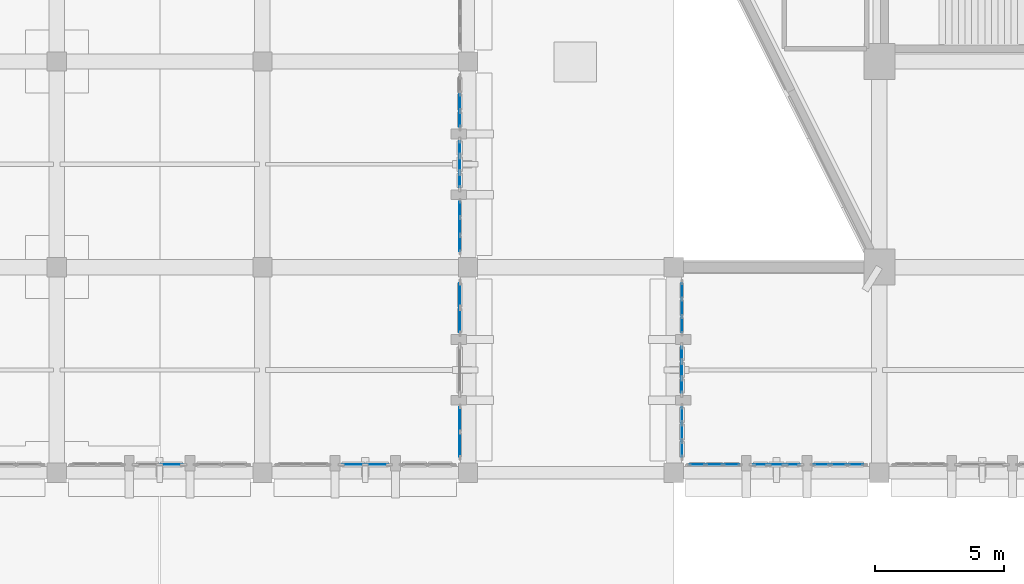
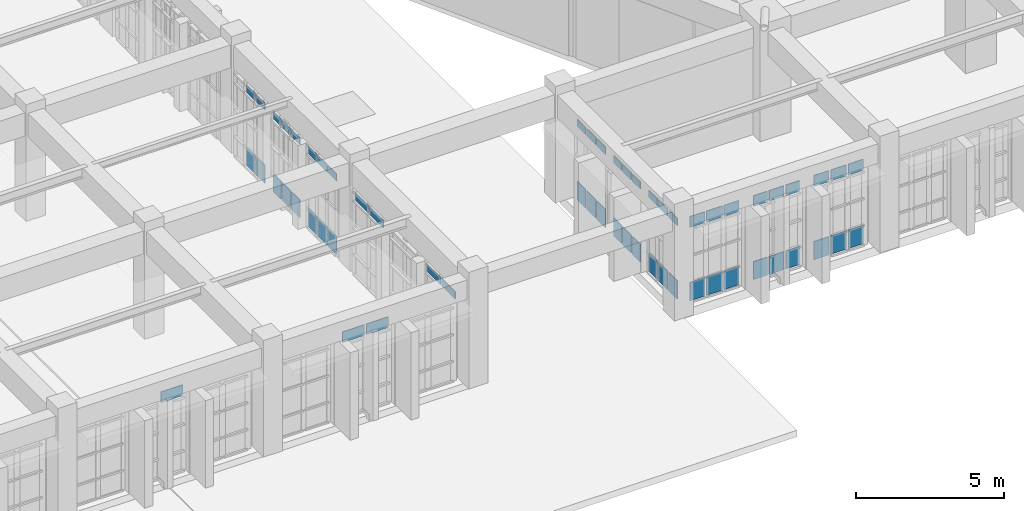
# One storey, part 119 of 155: 59 plates, 13 elements without a shape of their own.
"""IFC4 building model written with IfcOpenShell, lengths in metres."""

from ifc_helpers import new_model, si_unit, direction, frame, origin, origin_2d, place, context, subcontext, project, spatial, rectangle, extrude, material, layer, layer_set, type_object, element, aggregate, save


model = new_model("IFC4")

# Units and contexts
model_context = context("Model", 3, precision=1e-05, world=origin(), true_north=direction((0.0, 1.0)))
body_context = subcontext(model_context, "Body", "Model", "MODEL_VIEW")
ifc_project = project(units=[si_unit("LENGTHUNIT", "METRE"), si_unit("AREAUNIT", "SQUARE_METRE"), si_unit("VOLUMEUNIT", "CUBIC_METRE"), si_unit("PLANEANGLEUNIT", "RADIAN"), si_unit("MASSUNIT", "GRAM", prefix="KILO")], contexts=[model_context])

# Site, building, storey
site_placement = place(None, origin())
site = spatial("IfcSite", under=ifc_project, at=site_placement, CompositionType="ELEMENT")
building_placement = place(site_placement, origin())
building = spatial("IfcBuilding", under=site, at=building_placement, Name="Tazarka Park Arena", CompositionType="ELEMENT")
storey_placement = place(building_placement, frame((0.0, 0.0, 5.39990234375)))
storey = spatial("IfcBuildingStorey", under=building, at=storey_placement, Name="L01", CompositionType="ELEMENT", Elevation=5.39990234375)

# Curtain wall, plates
ifc_material_1 = material(Name="Aluminium and low-e glass", Category="aluminium")
ifc_layer_1 = layer(ifc_material_1, 0.179931640625, Name="Aluminium and low-e glass")
ifc_layer_set_1 = layer_set([ifc_layer_1], Name="Aluminium and low-e glass")
curtain_wall_type_1 = type_object("IfcCurtainWallType", Name="CW-03", PredefinedType="NOTDEFINED", material=ifc_layer_set_1)
curtain_wall_1_placement = place(storey_placement, origin())
curtain_wall_1 = element("IfcCurtainWall", 1, at=curtain_wall_1_placement, inside=storey, type_object=curtain_wall_type_1, Name="Curtain Wall CWA-L01-003", PredefinedType="NOTDEFINED")
ifc_material_2 = material(Name="Double low-e insulated glazing", Category="glass")
ifc_layer_2 = layer(ifc_material_2, 0.028076171875, Name="Double low-e insulated glazing")
ifc_layer_set_2 = layer_set([ifc_layer_2], Name="Double low-e insulated glazing")
plate_type_1 = type_object("IfcPlateType", Name="CWP-01", PredefinedType="CURTAIN_PANEL", material=ifc_layer_set_2)
plate_1_placement = place(storey_placement, frame((56.320068359375, 13.750244140625, 0.065185546875), z_axis=(0.0, 0.0, 1.0), x_axis=(0.0, 1.0, 0.0)))
plate_1 = element("IfcPlate", 2, at=plate_1_placement, type_object=plate_type_1, Name="CW-03 panel 1.1", PredefinedType="CURTAIN_PANEL", context=body_context, shape_type="SweptSolid", body=[
    extrude(rectangle(XDim=0.5869140625, YDim=0.028076171875, at=origin_2d()), origin(), (0.0, 0.0, 1.0), 0.75244140625),
])
plate_2_placement = place(storey_placement, frame((56.320068359375, 13.750244140625, 3.08251953125), z_axis=(0.0, 0.0, 1.0), x_axis=(0.0, 1.0, 0.0)))
plate_2 = element("IfcPlate", 3, at=plate_2_placement, type_object=plate_type_1, Name="CW-03 panel 1.4", PredefinedType="CURTAIN_PANEL", context=body_context, shape_type="SweptSolid", body=[
    extrude(rectangle(XDim=0.5869140625, YDim=0.028076171875, at=origin_2d()), origin(), (0.0, 0.0, 1.0), 0.302490234375),
])
plate_3_placement = place(storey_placement, frame((56.320068359375, 14.41845703125, 0.065185546875), z_axis=(0.0, 0.0, 1.0), x_axis=(0.0, 1.0, 0.0)))
plate_3 = element("IfcPlate", 4, at=plate_3_placement, type_object=plate_type_1, Name="CW-03 panel 2.1", PredefinedType="CURTAIN_PANEL", context=body_context, shape_type="SweptSolid", body=[
    extrude(rectangle(XDim=0.619384765625, YDim=0.028076171875, at=origin_2d()), origin(), (0.0, 0.0, 1.0), 0.75244140625),
])
plate_4_placement = place(storey_placement, frame((56.320068359375, 14.41845703125, 3.08251953125), z_axis=(0.0, 0.0, 1.0), x_axis=(0.0, 1.0, 0.0)))
plate_4 = element("IfcPlate", 5, at=plate_4_placement, type_object=plate_type_1, Name="CW-03 panel 2.4", PredefinedType="CURTAIN_PANEL", context=body_context, shape_type="SweptSolid", body=[
    extrude(rectangle(XDim=0.619384765625, YDim=0.028076171875, at=origin_2d()), origin(), (0.0, 0.0, 1.0), 0.302490234375),
])
plate_5_placement = place(storey_placement, frame((56.320068359375, 15.08642578125, 0.065185546875), z_axis=(0.0, 0.0, 1.0), x_axis=(0.0, 1.0, 0.0)))
plate_5 = element("IfcPlate", 6, at=plate_5_placement, type_object=plate_type_1, Name="CW-03 panel 3.1", PredefinedType="CURTAIN_PANEL", context=body_context, shape_type="SweptSolid", body=[
    extrude(rectangle(XDim=0.5869140625, YDim=0.028076171875, at=origin_2d()), origin(), (0.0, 0.0, 1.0), 0.75244140625),
])
plate_6_placement = place(storey_placement, frame((56.320068359375, 15.08642578125, 3.08251953125), z_axis=(0.0, 0.0, 1.0), x_axis=(0.0, 1.0, 0.0)))
plate_6 = element("IfcPlate", 7, at=plate_6_placement, type_object=plate_type_1, Name="CW-03 panel 3.4", PredefinedType="CURTAIN_PANEL", context=body_context, shape_type="SweptSolid", body=[
    extrude(rectangle(XDim=0.5869140625, YDim=0.028076171875, at=origin_2d()), origin(), (0.0, 0.0, 1.0), 0.302490234375),
])
aggregate(curtain_wall_1, [plate_1, plate_2, plate_3, plate_4, plate_5, plate_6])

ifc_material_3 = material(Name="Aluminium and low-e glass", Category="aluminium")
ifc_layer_3 = layer(ifc_material_3, 0.179931640625, Name="Aluminium and low-e glass")
ifc_layer_set_3 = layer_set([ifc_layer_3], Name="Aluminium and low-e glass")
curtain_wall_type_2 = type_object("IfcCurtainWallType", Name="CW-06", PredefinedType="NOTDEFINED", material=ifc_layer_set_3)
curtain_wall_2_placement = place(storey_placement, origin())
curtain_wall_2 = element("IfcCurtainWall", 8, at=curtain_wall_2_placement, inside=storey, type_object=curtain_wall_type_2, Name="Curtain Wall CWA-L01-006", PredefinedType="NOTDEFINED")
plate_7_placement = place(storey_placement, frame((58.249755859375, 8.320068359375, 0.065185546875), z_axis=(0.0, 0.0, 1.0), x_axis=(-1.0, 0.0, 0.0)))
plate_7 = element("IfcPlate", 9, at=plate_7_placement, type_object=plate_type_1, Name="CW-06 panel 1.1", PredefinedType="CURTAIN_PANEL", context=body_context, shape_type="SweptSolid", body=[
    extrude(rectangle(XDim=0.5869140625, YDim=0.028076171875, at=origin_2d()), origin(), (0.0, 0.0, 1.0), 0.75244140625),
])
plate_8_placement = place(storey_placement, frame((58.249755859375, 8.320068359375, 3.08251953125), z_axis=(0.0, 0.0, 1.0), x_axis=(-1.0, 0.0, 0.0)))
plate_8 = element("IfcPlate", 10, at=plate_8_placement, type_object=plate_type_1, Name="CW-06 panel 1.4", PredefinedType="CURTAIN_PANEL", context=body_context, shape_type="SweptSolid", body=[
    extrude(rectangle(XDim=0.5869140625, YDim=0.028076171875, at=origin_2d()), origin(), (0.0, 0.0, 1.0), 0.452392578125),
])
plate_9_placement = place(storey_placement, frame((57.58154296875, 8.320068359375, 0.065185546875), z_axis=(0.0, 0.0, 1.0), x_axis=(-1.0, 0.0, 0.0)))
plate_9 = element("IfcPlate", 11, at=plate_9_placement, type_object=plate_type_1, Name="CW-06 panel 2.1", PredefinedType="CURTAIN_PANEL", context=body_context, shape_type="SweptSolid", body=[
    extrude(rectangle(XDim=0.619384765625, YDim=0.028076171875, at=origin_2d()), origin(), (0.0, 0.0, 1.0), 0.75244140625),
])
plate_10_placement = place(storey_placement, frame((57.58154296875, 8.320068359375, 3.08251953125), z_axis=(0.0, 0.0, 1.0), x_axis=(-1.0, 0.0, 0.0)))
plate_10 = element("IfcPlate", 12, at=plate_10_placement, type_object=plate_type_1, Name="CW-06 panel 2.4", PredefinedType="CURTAIN_PANEL", context=body_context, shape_type="SweptSolid", body=[
    extrude(rectangle(XDim=0.619384765625, YDim=0.028076171875, at=origin_2d()), origin(), (0.0, 0.0, 1.0), 0.452392578125),
])
plate_11_placement = place(storey_placement, frame((56.91357421875, 8.320068359375, 0.065185546875), z_axis=(0.0, 0.0, 1.0), x_axis=(-1.0, 0.0, 0.0)))
plate_11 = element("IfcPlate", 13, at=plate_11_placement, type_object=plate_type_1, Name="CW-06 panel 3.1", PredefinedType="CURTAIN_PANEL", context=body_context, shape_type="SweptSolid", body=[
    extrude(rectangle(XDim=0.5869140625, YDim=0.028076171875, at=origin_2d()), origin(), (0.0, 0.0, 1.0), 0.75244140625),
])
plate_12_placement = place(storey_placement, frame((56.91357421875, 8.320068359375, 3.08251953125), z_axis=(0.0, 0.0, 1.0), x_axis=(-1.0, 0.0, 0.0)))
plate_12 = element("IfcPlate", 14, at=plate_12_placement, type_object=plate_type_1, Name="CW-06 panel 3.4", PredefinedType="CURTAIN_PANEL", context=body_context, shape_type="SweptSolid", body=[
    extrude(rectangle(XDim=0.5869140625, YDim=0.028076171875, at=origin_2d()), origin(), (0.0, 0.0, 1.0), 0.452392578125),
])
aggregate(curtain_wall_2, [plate_7, plate_8, plate_9, plate_10, plate_11, plate_12])

ifc_material_4 = material(Name="Aluminium and low-e glass", Category="aluminium")
ifc_layer_4 = layer(ifc_material_4, 0.179931640625, Name="Aluminium and low-e glass")
ifc_layer_set_4 = layer_set([ifc_layer_4], Name="Aluminium and low-e glass")
curtain_wall_type_3 = type_object("IfcCurtainWallType", Name="CW-30", PredefinedType="NOTDEFINED", material=ifc_layer_set_4)
curtain_wall_3_placement = place(storey_placement, origin())
curtain_wall_3 = element("IfcCurtainWall", 15, at=curtain_wall_3_placement, inside=storey, type_object=curtain_wall_type_3, Name="Curtain Wall CWA-L01-090", PredefinedType="NOTDEFINED")
plate_13_placement = place(storey_placement, frame((47.679931640625, 10.07861328125, 3.08251953125), z_axis=(0.0, 0.0, 1.0), x_axis=(0.0, -1.0, 0.0)))
plate_13 = element("IfcPlate", 16, at=plate_13_placement, type_object=plate_type_1, Name="CW-30 panel 1.4", PredefinedType="CURTAIN_PANEL", context=body_context, shape_type="SweptSolid", body=[
    extrude(rectangle(XDim=0.92919921875, YDim=0.028076171875, at=origin_2d()), origin(), (0.0, 0.0, 1.0), 0.302490234375),
])
plate_14_placement = place(storey_placement, frame((47.679931640625, 9.08447265625, 3.08251953125), z_axis=(0.0, 0.0, 1.0), x_axis=(0.0, -1.0, 0.0)))
plate_14 = element("IfcPlate", 17, at=plate_14_placement, type_object=plate_type_1, Name="CW-30 panel 2.4", PredefinedType="CURTAIN_PANEL", context=body_context, shape_type="SweptSolid", body=[
    extrude(rectangle(XDim=0.92919921875, YDim=0.028076171875, at=origin_2d()), origin(), (0.0, 0.0, 1.0), 0.302490234375),
])
aggregate(curtain_wall_3, [plate_13, plate_14])

curtain_wall_4_placement = place(storey_placement, origin())
curtain_wall_4 = element("IfcCurtainWall", 18, at=curtain_wall_4_placement, inside=storey, type_object=curtain_wall_type_1, Name="Curtain Wall CWA-L01-093", PredefinedType="NOTDEFINED")
plate_15_placement = place(storey_placement, frame((47.679931640625, 18.249755859375, 0.065185546875), z_axis=(0.0, 0.0, 1.0), x_axis=(0.0, -1.0, 0.0)))
plate_15 = element("IfcPlate", 19, at=plate_15_placement, type_object=plate_type_1, Name="CW-03 panel 1.1", PredefinedType="CURTAIN_PANEL", context=body_context, shape_type="SweptSolid", body=[
    extrude(rectangle(XDim=0.5869140625, YDim=0.028076171875, at=origin_2d()), origin(), (0.0, 0.0, 1.0), 0.75244140625),
])
plate_16_placement = place(storey_placement, frame((47.679931640625, 18.249755859375, 3.08251953125), z_axis=(0.0, 0.0, 1.0), x_axis=(0.0, -1.0, 0.0)))
plate_16 = element("IfcPlate", 20, at=plate_16_placement, type_object=plate_type_1, Name="CW-03 panel 1.4", PredefinedType="CURTAIN_PANEL", context=body_context, shape_type="SweptSolid", body=[
    extrude(rectangle(XDim=0.5869140625, YDim=0.028076171875, at=origin_2d()), origin(), (0.0, 0.0, 1.0), 0.302490234375),
])
plate_17_placement = place(storey_placement, frame((47.679931640625, 17.58154296875, 0.065185546875), z_axis=(0.0, 0.0, 1.0), x_axis=(0.0, -1.0, 0.0)))
plate_17 = element("IfcPlate", 21, at=plate_17_placement, type_object=plate_type_1, Name="CW-03 panel 2.1", PredefinedType="CURTAIN_PANEL", context=body_context, shape_type="SweptSolid", body=[
    extrude(rectangle(XDim=0.619384765625, YDim=0.028076171875, at=origin_2d()), origin(), (0.0, 0.0, 1.0), 0.75244140625),
])
plate_18_placement = place(storey_placement, frame((47.679931640625, 17.58154296875, 3.08251953125), z_axis=(0.0, 0.0, 1.0), x_axis=(0.0, -1.0, 0.0)))
plate_18 = element("IfcPlate", 22, at=plate_18_placement, type_object=plate_type_1, Name="CW-03 panel 2.4", PredefinedType="CURTAIN_PANEL", context=body_context, shape_type="SweptSolid", body=[
    extrude(rectangle(XDim=0.619384765625, YDim=0.028076171875, at=origin_2d()), origin(), (0.0, 0.0, 1.0), 0.302490234375),
])
plate_19_placement = place(storey_placement, frame((47.679931640625, 16.91357421875, 0.065185546875), z_axis=(0.0, 0.0, 1.0), x_axis=(0.0, -1.0, 0.0)))
plate_19 = element("IfcPlate", 23, at=plate_19_placement, type_object=plate_type_1, Name="CW-03 panel 3.1", PredefinedType="CURTAIN_PANEL", context=body_context, shape_type="SweptSolid", body=[
    extrude(rectangle(XDim=0.5869140625, YDim=0.028076171875, at=origin_2d()), origin(), (0.0, 0.0, 1.0), 0.75244140625),
])
plate_20_placement = place(storey_placement, frame((47.679931640625, 16.91357421875, 3.08251953125), z_axis=(0.0, 0.0, 1.0), x_axis=(0.0, -1.0, 0.0)))
plate_20 = element("IfcPlate", 24, at=plate_20_placement, type_object=plate_type_1, Name="CW-03 panel 3.4", PredefinedType="CURTAIN_PANEL", context=body_context, shape_type="SweptSolid", body=[
    extrude(rectangle(XDim=0.5869140625, YDim=0.028076171875, at=origin_2d()), origin(), (0.0, 0.0, 1.0), 0.302490234375),
])
aggregate(curtain_wall_4, [plate_15, plate_16, plate_17, plate_18, plate_19, plate_20])

ifc_material_5 = material(Name="Aluminium and low-e glass", Category="aluminium")
ifc_layer_5 = layer(ifc_material_5, 0.179931640625, Name="Aluminium and low-e glass")
ifc_layer_set_5 = layer_set([ifc_layer_5], Name="Aluminium and low-e glass")
curtain_wall_type_4 = type_object("IfcCurtainWallType", Name="CW-01", PredefinedType="NOTDEFINED", material=ifc_layer_set_5)
curtain_wall_5_placement = place(storey_placement, origin())
curtain_wall_5 = element("IfcCurtainWall", 25, at=curtain_wall_5_placement, inside=storey, type_object=curtain_wall_type_4, Name="Curtain Wall CWA-L01-001", PredefinedType="NOTDEFINED")
ifc_material_6 = material(Name="Triple acoustic solar glazing", Category="glass")
ifc_layer_6 = layer(ifc_material_6, 0.031982421875, Name="Triple acoustic solar glazing")
ifc_layer_set_6 = layer_set([ifc_layer_6], Name="Triple acoustic solar glazing")
plate_type_2 = type_object("IfcPlateType", Name="CWP-02", PredefinedType="CURTAIN_PANEL", material=ifc_layer_set_6)
plate_21_placement = place(storey_placement, frame((56.320068359375, 8.91357421875, 0.065185546875), z_axis=(0.0, 0.0, 1.0), x_axis=(0.0, 1.0, 0.0)))
plate_21 = element("IfcPlate", 26, at=plate_21_placement, type_object=plate_type_2, Name="CW-01 panel 1.1", PredefinedType="CURTAIN_PANEL", context=body_context, shape_type="SweptSolid", body=[
    extrude(rectangle(XDim=0.5869140625, YDim=0.031982421875, at=origin_2d()), origin(), (0.0, 0.0, 1.0), 0.75244140625),
])
plate_22_placement = place(storey_placement, frame((56.320068359375, 8.91357421875, 3.08251953125), z_axis=(0.0, 0.0, 1.0), x_axis=(0.0, 1.0, 0.0)))
plate_22 = element("IfcPlate", 27, at=plate_22_placement, type_object=plate_type_2, Name="CW-01 panel 1.4", PredefinedType="CURTAIN_PANEL", context=body_context, shape_type="SweptSolid", body=[
    extrude(rectangle(XDim=0.5869140625, YDim=0.031982421875, at=origin_2d()), origin(), (0.0, 0.0, 1.0), 0.302490234375),
])
plate_23_placement = place(storey_placement, frame((56.320068359375, 9.58154296875, 0.065185546875), z_axis=(0.0, 0.0, 1.0), x_axis=(0.0, 1.0, 0.0)))
plate_23 = element("IfcPlate", 28, at=plate_23_placement, type_object=plate_type_2, Name="CW-01 panel 2.1", PredefinedType="CURTAIN_PANEL", context=body_context, shape_type="SweptSolid", body=[
    extrude(rectangle(XDim=0.619384765625, YDim=0.031982421875, at=origin_2d()), origin(), (0.0, 0.0, 1.0), 0.75244140625),
])
plate_24_placement = place(storey_placement, frame((56.320068359375, 9.58154296875, 3.08251953125), z_axis=(0.0, 0.0, 1.0), x_axis=(0.0, 1.0, 0.0)))
plate_24 = element("IfcPlate", 29, at=plate_24_placement, type_object=plate_type_2, Name="CW-01 panel 2.4", PredefinedType="CURTAIN_PANEL", context=body_context, shape_type="SweptSolid", body=[
    extrude(rectangle(XDim=0.619384765625, YDim=0.031982421875, at=origin_2d()), origin(), (0.0, 0.0, 1.0), 0.302490234375),
])
plate_25_placement = place(storey_placement, frame((56.320068359375, 10.249755859375, 0.065185546875), z_axis=(0.0, 0.0, 1.0), x_axis=(0.0, 1.0, 0.0)))
plate_25 = element("IfcPlate", 30, at=plate_25_placement, type_object=plate_type_2, Name="CW-01 panel 3.1", PredefinedType="CURTAIN_PANEL", context=body_context, shape_type="SweptSolid", body=[
    extrude(rectangle(XDim=0.5869140625, YDim=0.031982421875, at=origin_2d()), origin(), (0.0, 0.0, 1.0), 0.75244140625),
])
plate_26_placement = place(storey_placement, frame((56.320068359375, 10.249755859375, 3.08251953125), z_axis=(0.0, 0.0, 1.0), x_axis=(0.0, 1.0, 0.0)))
plate_26 = element("IfcPlate", 31, at=plate_26_placement, type_object=plate_type_2, Name="CW-01 panel 3.4", PredefinedType="CURTAIN_PANEL", context=body_context, shape_type="SweptSolid", body=[
    extrude(rectangle(XDim=0.5869140625, YDim=0.031982421875, at=origin_2d()), origin(), (0.0, 0.0, 1.0), 0.302490234375),
])
aggregate(curtain_wall_5, [plate_21, plate_22, plate_23, plate_24, plate_25, plate_26])

ifc_material_7 = material(Name="Aluminium and low-e glass", Category="aluminium")
ifc_layer_7 = layer(ifc_material_7, 0.179931640625, Name="Aluminium and low-e glass")
ifc_layer_set_7 = layer_set([ifc_layer_7], Name="Aluminium and low-e glass")
curtain_wall_type_5 = type_object("IfcCurtainWallType", Name="CW-04", PredefinedType="NOTDEFINED", material=ifc_layer_set_7)
curtain_wall_6_placement = place(storey_placement, origin())
curtain_wall_6 = element("IfcCurtainWall", 32, at=curtain_wall_6_placement, inside=storey, type_object=curtain_wall_type_5, Name="Curtain Wall CWA-L01-004", PredefinedType="NOTDEFINED")
plate_27_placement = place(storey_placement, frame((63.08642578125, 8.320068359375, 0.065185546875), z_axis=(0.0, 0.0, 1.0), x_axis=(-1.0, 0.0, 0.0)))
plate_27 = element("IfcPlate", 33, at=plate_27_placement, type_object=plate_type_2, Name="CW-04 panel 1.1", PredefinedType="CURTAIN_PANEL", context=body_context, shape_type="SweptSolid", body=[
    extrude(rectangle(XDim=0.5869140625, YDim=0.031982421875, at=origin_2d()), origin(), (0.0, 0.0, 1.0), 0.75244140625),
])
plate_28_placement = place(storey_placement, frame((63.08642578125, 8.320068359375, 3.08251953125), z_axis=(0.0, 0.0, 1.0), x_axis=(-1.0, 0.0, 0.0)))
plate_28 = element("IfcPlate", 34, at=plate_28_placement, type_object=plate_type_2, Name="CW-04 panel 1.4", PredefinedType="CURTAIN_PANEL", context=body_context, shape_type="SweptSolid", body=[
    extrude(rectangle(XDim=0.5869140625, YDim=0.031982421875, at=origin_2d()), origin(), (0.0, 0.0, 1.0), 0.452392578125),
])
plate_29_placement = place(storey_placement, frame((62.41845703125, 8.320068359375, 0.065185546875), z_axis=(0.0, 0.0, 1.0), x_axis=(-1.0, 0.0, 0.0)))
plate_29 = element("IfcPlate", 35, at=plate_29_placement, type_object=plate_type_2, Name="CW-04 panel 2.1", PredefinedType="CURTAIN_PANEL", context=body_context, shape_type="SweptSolid", body=[
    extrude(rectangle(XDim=0.619384765625, YDim=0.031982421875, at=origin_2d()), origin(), (0.0, 0.0, 1.0), 0.75244140625),
])
plate_30_placement = place(storey_placement, frame((62.41845703125, 8.320068359375, 3.08251953125), z_axis=(0.0, 0.0, 1.0), x_axis=(-1.0, 0.0, 0.0)))
plate_30 = element("IfcPlate", 36, at=plate_30_placement, type_object=plate_type_2, Name="CW-04 panel 2.4", PredefinedType="CURTAIN_PANEL", context=body_context, shape_type="SweptSolid", body=[
    extrude(rectangle(XDim=0.619384765625, YDim=0.031982421875, at=origin_2d()), origin(), (0.0, 0.0, 1.0), 0.452392578125),
])
plate_31_placement = place(storey_placement, frame((61.750244140625, 8.320068359375, 0.065185546875), z_axis=(0.0, 0.0, 1.0), x_axis=(-1.0, 0.0, 0.0)))
plate_31 = element("IfcPlate", 37, at=plate_31_placement, type_object=plate_type_2, Name="CW-04 panel 3.1", PredefinedType="CURTAIN_PANEL", context=body_context, shape_type="SweptSolid", body=[
    extrude(rectangle(XDim=0.5869140625, YDim=0.031982421875, at=origin_2d()), origin(), (0.0, 0.0, 1.0), 0.75244140625),
])
plate_32_placement = place(storey_placement, frame((61.750244140625, 8.320068359375, 3.08251953125), z_axis=(0.0, 0.0, 1.0), x_axis=(-1.0, 0.0, 0.0)))
plate_32 = element("IfcPlate", 38, at=plate_32_placement, type_object=plate_type_2, Name="CW-04 panel 3.4", PredefinedType="CURTAIN_PANEL", context=body_context, shape_type="SweptSolid", body=[
    extrude(rectangle(XDim=0.5869140625, YDim=0.031982421875, at=origin_2d()), origin(), (0.0, 0.0, 1.0), 0.452392578125),
])
aggregate(curtain_wall_6, [plate_27, plate_28, plate_29, plate_30, plate_31, plate_32])

ifc_material_8 = material(Name="Aluminium and low-e glass", Category="aluminium")
ifc_layer_8 = layer(ifc_material_8, 0.179931640625, Name="Aluminium and low-e glass")
ifc_layer_set_8 = layer_set([ifc_layer_8], Name="Aluminium and low-e glass")
curtain_wall_type_6 = type_object("IfcCurtainWallType", Name="CW-28", PredefinedType="NOTDEFINED", material=ifc_layer_set_8)
curtain_wall_7_placement = place(storey_placement, origin())
curtain_wall_7 = element("IfcCurtainWall", 39, at=curtain_wall_7_placement, inside=storey, type_object=curtain_wall_type_6, Name="Curtain Wall CWA-L01-088", PredefinedType="NOTDEFINED")
plate_33_placement = place(storey_placement, frame((47.679931640625, 14.91552734375, 3.08251953125), z_axis=(0.0, 0.0, 1.0), x_axis=(0.0, -1.0, 0.0)))
plate_33 = element("IfcPlate", 40, at=plate_33_placement, type_object=plate_type_2, Name="CW-28 panel 1.4", PredefinedType="CURTAIN_PANEL", context=body_context, shape_type="SweptSolid", body=[
    extrude(rectangle(XDim=0.92919921875, YDim=0.031982421875, at=origin_2d()), origin(), (0.0, 0.0, 1.0), 0.302490234375),
])
plate_34_placement = place(storey_placement, frame((47.679931640625, 13.92138671875, 3.08251953125), z_axis=(0.0, 0.0, 1.0), x_axis=(0.0, -1.0, 0.0)))
plate_34 = element("IfcPlate", 41, at=plate_34_placement, type_object=plate_type_2, Name="CW-28 panel 2.4", PredefinedType="CURTAIN_PANEL", context=body_context, shape_type="SweptSolid", body=[
    extrude(rectangle(XDim=0.92919921875, YDim=0.031982421875, at=origin_2d()), origin(), (0.0, 0.0, 1.0), 0.302490234375),
])
aggregate(curtain_wall_7, [plate_33, plate_34])

curtain_wall_8_placement = place(storey_placement, origin())
curtain_wall_8 = element("IfcCurtainWall", 42, at=curtain_wall_8_placement, inside=storey, type_object=curtain_wall_type_4, Name="Curtain Wall CWA-L01-091", PredefinedType="NOTDEFINED")
plate_35_placement = place(storey_placement, frame((47.679931640625, 22.41845703125, 0.065185546875), z_axis=(0.0, 0.0, 1.0), x_axis=(0.0, -1.0, 0.0)))
plate_35 = element("IfcPlate", 43, at=plate_35_placement, type_object=plate_type_2, Name="CW-01 panel 2.1", PredefinedType="CURTAIN_PANEL", context=body_context, shape_type="SweptSolid", body=[
    extrude(rectangle(XDim=0.619384765625, YDim=0.031982421875, at=origin_2d()), origin(), (0.0, 0.0, 1.0), 0.75244140625),
])
plate_36_placement = place(storey_placement, frame((47.679931640625, 22.41845703125, 3.08251953125), z_axis=(0.0, 0.0, 1.0), x_axis=(0.0, -1.0, 0.0)))
plate_36 = element("IfcPlate", 44, at=plate_36_placement, type_object=plate_type_2, Name="CW-01 panel 2.4", PredefinedType="CURTAIN_PANEL", context=body_context, shape_type="SweptSolid", body=[
    extrude(rectangle(XDim=0.619384765625, YDim=0.031982421875, at=origin_2d()), origin(), (0.0, 0.0, 1.0), 0.302490234375),
])
plate_37_placement = place(storey_placement, frame((47.679931640625, 21.750244140625, 0.065185546875), z_axis=(0.0, 0.0, 1.0), x_axis=(0.0, -1.0, 0.0)))
plate_37 = element("IfcPlate", 45, at=plate_37_placement, type_object=plate_type_2, Name="CW-01 panel 3.1", PredefinedType="CURTAIN_PANEL", context=body_context, shape_type="SweptSolid", body=[
    extrude(rectangle(XDim=0.5869140625, YDim=0.031982421875, at=origin_2d()), origin(), (0.0, 0.0, 1.0), 0.75244140625),
])
plate_38_placement = place(storey_placement, frame((47.679931640625, 21.750244140625, 3.08251953125), z_axis=(0.0, 0.0, 1.0), x_axis=(0.0, -1.0, 0.0)))
plate_38 = element("IfcPlate", 46, at=plate_38_placement, type_object=plate_type_2, Name="CW-01 panel 3.4", PredefinedType="CURTAIN_PANEL", context=body_context, shape_type="SweptSolid", body=[
    extrude(rectangle(XDim=0.5869140625, YDim=0.031982421875, at=origin_2d()), origin(), (0.0, 0.0, 1.0), 0.302490234375),
])
aggregate(curtain_wall_8, [plate_35, plate_36, plate_37, plate_38])

ifc_material_9 = material(Name="Aluminium and low-e glass", Category="aluminium")
ifc_layer_9 = layer(ifc_material_9, 0.179931640625, Name="Aluminium and low-e glass")
ifc_layer_set_9 = layer_set([ifc_layer_9], Name="Aluminium and low-e glass")
curtain_wall_type_7 = type_object("IfcCurtainWallType", Name="CW-02", PredefinedType="NOTDEFINED", material=ifc_layer_set_9)
curtain_wall_9_placement = place(storey_placement, origin())
curtain_wall_9 = element("IfcCurtainWall", 47, at=curtain_wall_9_placement, inside=storey, type_object=curtain_wall_type_7, Name="Curtain Wall CWA-L01-002", PredefinedType="NOTDEFINED")
ifc_material_10 = material(Name="Insulated aluminium spandrel panel", Category="aluminium")
ifc_layer_10 = layer(ifc_material_10, 0.035888671875, Name="Insulated aluminium spandrel panel")
ifc_layer_set_10 = layer_set([ifc_layer_10], Name="Insulated aluminium spandrel panel")
plate_type_3 = type_object("IfcPlateType", Name="CWP-03", PredefinedType="CURTAIN_PANEL", material=ifc_layer_set_10)
plate_39_placement = place(storey_placement, frame((56.320068359375, 11.370849609375, 0.0751953125), z_axis=(0.0, 0.0, 1.0), x_axis=(0.0, 1.0, 0.0)))
plate_39 = element("IfcPlate", 48, at=plate_39_placement, type_object=plate_type_3, Name="CW-02 panel 1.1", PredefinedType="CURTAIN_PANEL", context=body_context, shape_type="SweptSolid", body=[
    extrude(rectangle(XDim=0.535400390625, YDim=0.035888671875, at=origin_2d()), origin(), (0.0, 0.0, 1.0), 0.737548828125),
])
plate_40_placement = place(storey_placement, frame((56.320068359375, 11.370849609375, 3.087646484375), z_axis=(0.0, 0.0, 1.0), x_axis=(0.0, 1.0, 0.0)))
plate_40 = element("IfcPlate", 49, at=plate_40_placement, type_object=plate_type_3, Name="CW-02 panel 1.4", PredefinedType="CURTAIN_PANEL", context=body_context, shape_type="SweptSolid", body=[
    extrude(rectangle(XDim=0.535400390625, YDim=0.035888671875, at=origin_2d()), origin(), (0.0, 0.0, 1.0), 0.28759765625),
])
plate_41_placement = place(storey_placement, frame((56.320068359375, 12.0, 0.0751953125), z_axis=(0.0, 0.0, 1.0), x_axis=(0.0, 1.0, 0.0)))
plate_41 = element("IfcPlate", 50, at=plate_41_placement, type_object=plate_type_3, Name="CW-02 panel 2.1", PredefinedType="CURTAIN_PANEL", context=body_context, shape_type="SweptSolid", body=[
    extrude(rectangle(XDim=0.57275390625, YDim=0.035888671875, at=origin_2d()), origin(), (0.0, 0.0, 1.0), 0.737548828125),
])
plate_42_placement = place(storey_placement, frame((56.320068359375, 12.0, 3.087646484375), z_axis=(0.0, 0.0, 1.0), x_axis=(0.0, 1.0, 0.0)))
plate_42 = element("IfcPlate", 51, at=plate_42_placement, type_object=plate_type_3, Name="CW-02 panel 2.4", PredefinedType="CURTAIN_PANEL", context=body_context, shape_type="SweptSolid", body=[
    extrude(rectangle(XDim=0.57275390625, YDim=0.035888671875, at=origin_2d()), origin(), (0.0, 0.0, 1.0), 0.28759765625),
])
plate_43_placement = place(storey_placement, frame((56.320068359375, 12.629150390625, 0.0751953125), z_axis=(0.0, 0.0, 1.0), x_axis=(0.0, 1.0, 0.0)))
plate_43 = element("IfcPlate", 52, at=plate_43_placement, type_object=plate_type_3, Name="CW-02 panel 3.1", PredefinedType="CURTAIN_PANEL", context=body_context, shape_type="SweptSolid", body=[
    extrude(rectangle(XDim=0.535400390625, YDim=0.035888671875, at=origin_2d()), origin(), (0.0, 0.0, 1.0), 0.737548828125),
])
plate_44_placement = place(storey_placement, frame((56.320068359375, 12.629150390625, 3.087646484375), z_axis=(0.0, 0.0, 1.0), x_axis=(0.0, 1.0, 0.0)))
plate_44 = element("IfcPlate", 53, at=plate_44_placement, type_object=plate_type_3, Name="CW-02 panel 3.4", PredefinedType="CURTAIN_PANEL", context=body_context, shape_type="SweptSolid", body=[
    extrude(rectangle(XDim=0.535400390625, YDim=0.035888671875, at=origin_2d()), origin(), (0.0, 0.0, 1.0), 0.28759765625),
])
aggregate(curtain_wall_9, [plate_39, plate_40, plate_41, plate_42, plate_43, plate_44])

ifc_material_11 = material(Name="Aluminium and low-e glass", Category="aluminium")
ifc_layer_11 = layer(ifc_material_11, 0.179931640625, Name="Aluminium and low-e glass")
ifc_layer_set_11 = layer_set([ifc_layer_11], Name="Aluminium and low-e glass")
curtain_wall_type_8 = type_object("IfcCurtainWallType", Name="CW-05", PredefinedType="NOTDEFINED", material=ifc_layer_set_11)
curtain_wall_10_placement = place(storey_placement, origin())
curtain_wall_10 = element("IfcCurtainWall", 54, at=curtain_wall_10_placement, inside=storey, type_object=curtain_wall_type_8, Name="Curtain Wall CWA-L01-005", PredefinedType="NOTDEFINED")
plate_45_placement = place(storey_placement, frame((60.629150390625, 8.320068359375, 0.0751953125), z_axis=(0.0, 0.0, 1.0), x_axis=(-1.0, 0.0, 0.0)))
plate_45 = element("IfcPlate", 55, at=plate_45_placement, type_object=plate_type_3, Name="CW-05 panel 1.1", PredefinedType="CURTAIN_PANEL", context=body_context, shape_type="SweptSolid", body=[
    extrude(rectangle(XDim=0.535400390625, YDim=0.035888671875, at=origin_2d()), origin(), (0.0, 0.0, 1.0), 0.737548828125),
])
plate_46_placement = place(storey_placement, frame((60.629150390625, 8.320068359375, 3.087646484375), z_axis=(0.0, 0.0, 1.0), x_axis=(-1.0, 0.0, 0.0)))
plate_46 = element("IfcPlate", 56, at=plate_46_placement, type_object=plate_type_3, Name="CW-05 panel 1.4", PredefinedType="CURTAIN_PANEL", context=body_context, shape_type="SweptSolid", body=[
    extrude(rectangle(XDim=0.535400390625, YDim=0.035888671875, at=origin_2d()), origin(), (0.0, 0.0, 1.0), 0.4375),
])
plate_47_placement = place(storey_placement, frame((60.0, 8.320068359375, 0.0751953125), z_axis=(0.0, 0.0, 1.0), x_axis=(-1.0, 0.0, 0.0)))
plate_47 = element("IfcPlate", 57, at=plate_47_placement, type_object=plate_type_3, Name="CW-05 panel 2.1", PredefinedType="CURTAIN_PANEL", context=body_context, shape_type="SweptSolid", body=[
    extrude(rectangle(XDim=0.57275390625, YDim=0.035888671875, at=origin_2d()), origin(), (0.0, 0.0, 1.0), 0.737548828125),
])
plate_48_placement = place(storey_placement, frame((60.0, 8.320068359375, 3.087646484375), z_axis=(0.0, 0.0, 1.0), x_axis=(-1.0, 0.0, 0.0)))
plate_48 = element("IfcPlate", 58, at=plate_48_placement, type_object=plate_type_3, Name="CW-05 panel 2.4", PredefinedType="CURTAIN_PANEL", context=body_context, shape_type="SweptSolid", body=[
    extrude(rectangle(XDim=0.57275390625, YDim=0.035888671875, at=origin_2d()), origin(), (0.0, 0.0, 1.0), 0.4375),
])
plate_49_placement = place(storey_placement, frame((59.370849609375, 8.320068359375, 0.0751953125), z_axis=(0.0, 0.0, 1.0), x_axis=(-1.0, 0.0, 0.0)))
plate_49 = element("IfcPlate", 59, at=plate_49_placement, type_object=plate_type_3, Name="CW-05 panel 3.1", PredefinedType="CURTAIN_PANEL", context=body_context, shape_type="SweptSolid", body=[
    extrude(rectangle(XDim=0.535400390625, YDim=0.035888671875, at=origin_2d()), origin(), (0.0, 0.0, 1.0), 0.737548828125),
])
plate_50_placement = place(storey_placement, frame((59.370849609375, 8.320068359375, 3.087646484375), z_axis=(0.0, 0.0, 1.0), x_axis=(-1.0, 0.0, 0.0)))
plate_50 = element("IfcPlate", 60, at=plate_50_placement, type_object=plate_type_3, Name="CW-05 panel 3.4", PredefinedType="CURTAIN_PANEL", context=body_context, shape_type="SweptSolid", body=[
    extrude(rectangle(XDim=0.535400390625, YDim=0.035888671875, at=origin_2d()), origin(), (0.0, 0.0, 1.0), 0.4375),
])
aggregate(curtain_wall_10, [plate_45, plate_46, plate_47, plate_48, plate_49, plate_50])

# Curtain wall, plate
ifc_material_12 = material(Name="Aluminium and low-e glass", Category="aluminium")
ifc_layer_12 = layer(ifc_material_12, 0.179931640625, Name="Aluminium and low-e glass")
ifc_layer_set_12 = layer_set([ifc_layer_12], Name="Aluminium and low-e glass")
curtain_wall_type_9 = type_object("IfcCurtainWallType", Name="CW-23", PredefinedType="NOTDEFINED", material=ifc_layer_set_12)
curtain_wall_11_placement = place(storey_placement, origin())
curtain_wall_11 = element("IfcCurtainWall", 61, at=curtain_wall_11_placement, inside=storey, type_object=curtain_wall_type_9, Name="Curtain Wall CWA-L01-083", PredefinedType="NOTDEFINED")
plate_51_placement = place(storey_placement, frame((36.467041015625, 8.320068359375, 3.087646484375), z_axis=(0.0, 0.0, 1.0), x_axis=(-1.0, 0.0, 0.0)))
plate_51 = element("IfcPlate", 62, at=plate_51_placement, type_object=plate_type_3, Name="CW-23 panel 1.4", PredefinedType="CURTAIN_PANEL", context=body_context, shape_type="SweptSolid", body=[
    extrude(rectangle(XDim=0.859130859375, YDim=0.035888671875, at=origin_2d()), origin(), (0.0, 0.0, 1.0), 0.4375),
])
aggregate(curtain_wall_11, [plate_51])

# Curtain wall, plates
ifc_material_13 = material(Name="Aluminium and low-e glass", Category="aluminium")
ifc_layer_13 = layer(ifc_material_13, 0.179931640625, Name="Aluminium and low-e glass")
ifc_layer_set_13 = layer_set([ifc_layer_13], Name="Aluminium and low-e glass")
curtain_wall_type_10 = type_object("IfcCurtainWallType", Name="CW-26", PredefinedType="NOTDEFINED", material=ifc_layer_set_13)
curtain_wall_12_placement = place(storey_placement, origin())
curtain_wall_12 = element("IfcCurtainWall", 63, at=curtain_wall_12_placement, inside=storey, type_object=curtain_wall_type_10, Name="Curtain Wall CWA-L01-086", PredefinedType="NOTDEFINED")
plate_52_placement = place(storey_placement, frame((44.467041015625, 8.320068359375, 3.087646484375), z_axis=(0.0, 0.0, 1.0), x_axis=(-1.0, 0.0, 0.0)))
plate_52 = element("IfcPlate", 64, at=plate_52_placement, type_object=plate_type_3, Name="CW-26 panel 1.4", PredefinedType="CURTAIN_PANEL", context=body_context, shape_type="SweptSolid", body=[
    extrude(rectangle(XDim=0.859130859375, YDim=0.035888671875, at=origin_2d()), origin(), (0.0, 0.0, 1.0), 0.4375),
])
plate_53_placement = place(storey_placement, frame((43.532958984375, 8.320068359375, 3.087646484375), z_axis=(0.0, 0.0, 1.0), x_axis=(-1.0, 0.0, 0.0)))
plate_53 = element("IfcPlate", 65, at=plate_53_placement, type_object=plate_type_3, Name="CW-26 panel 2.4", PredefinedType="CURTAIN_PANEL", context=body_context, shape_type="SweptSolid", body=[
    extrude(rectangle(XDim=0.859130859375, YDim=0.035888671875, at=origin_2d()), origin(), (0.0, 0.0, 1.0), 0.4375),
])
aggregate(curtain_wall_12, [plate_52, plate_53])

curtain_wall_13_placement = place(storey_placement, origin())
curtain_wall_13 = element("IfcCurtainWall", 66, at=curtain_wall_13_placement, inside=storey, type_object=curtain_wall_type_7, Name="Curtain Wall CWA-L01-092", PredefinedType="NOTDEFINED")
plate_54_placement = place(storey_placement, frame((47.679931640625, 20.629150390625, 0.0751953125), z_axis=(0.0, 0.0, 1.0), x_axis=(0.0, -1.0, 0.0)))
plate_54 = element("IfcPlate", 67, at=plate_54_placement, type_object=plate_type_3, Name="CW-02 panel 1.1", PredefinedType="CURTAIN_PANEL", context=body_context, shape_type="SweptSolid", body=[
    extrude(rectangle(XDim=0.535400390625, YDim=0.035888671875, at=origin_2d()), origin(), (0.0, 0.0, 1.0), 0.737548828125),
])
plate_55_placement = place(storey_placement, frame((47.679931640625, 20.629150390625, 3.087646484375), z_axis=(0.0, 0.0, 1.0), x_axis=(0.0, -1.0, 0.0)))
plate_55 = element("IfcPlate", 68, at=plate_55_placement, type_object=plate_type_3, Name="CW-02 panel 1.4", PredefinedType="CURTAIN_PANEL", context=body_context, shape_type="SweptSolid", body=[
    extrude(rectangle(XDim=0.535400390625, YDim=0.035888671875, at=origin_2d()), origin(), (0.0, 0.0, 1.0), 0.28759765625),
])
plate_56_placement = place(storey_placement, frame((47.679931640625, 20.0, 0.0751953125), z_axis=(0.0, 0.0, 1.0), x_axis=(0.0, -1.0, 0.0)))
plate_56 = element("IfcPlate", 69, at=plate_56_placement, type_object=plate_type_3, Name="CW-02 panel 2.1", PredefinedType="CURTAIN_PANEL", context=body_context, shape_type="SweptSolid", body=[
    extrude(rectangle(XDim=0.57275390625, YDim=0.035888671875, at=origin_2d()), origin(), (0.0, 0.0, 1.0), 0.737548828125),
])
plate_57_placement = place(storey_placement, frame((47.679931640625, 20.0, 3.087646484375), z_axis=(0.0, 0.0, 1.0), x_axis=(0.0, -1.0, 0.0)))
plate_57 = element("IfcPlate", 70, at=plate_57_placement, type_object=plate_type_3, Name="CW-02 panel 2.4", PredefinedType="CURTAIN_PANEL", context=body_context, shape_type="SweptSolid", body=[
    extrude(rectangle(XDim=0.57275390625, YDim=0.035888671875, at=origin_2d()), origin(), (0.0, 0.0, 1.0), 0.28759765625),
])
plate_58_placement = place(storey_placement, frame((47.679931640625, 19.370849609375, 0.0751953125), z_axis=(0.0, 0.0, 1.0), x_axis=(0.0, -1.0, 0.0)))
plate_58 = element("IfcPlate", 71, at=plate_58_placement, type_object=plate_type_3, Name="CW-02 panel 3.1", PredefinedType="CURTAIN_PANEL", context=body_context, shape_type="SweptSolid", body=[
    extrude(rectangle(XDim=0.535400390625, YDim=0.035888671875, at=origin_2d()), origin(), (0.0, 0.0, 1.0), 0.737548828125),
])
plate_59_placement = place(storey_placement, frame((47.679931640625, 19.370849609375, 3.087646484375), z_axis=(0.0, 0.0, 1.0), x_axis=(0.0, -1.0, 0.0)))
plate_59 = element("IfcPlate", 72, at=plate_59_placement, type_object=plate_type_3, Name="CW-02 panel 3.4", PredefinedType="CURTAIN_PANEL", context=body_context, shape_type="SweptSolid", body=[
    extrude(rectangle(XDim=0.535400390625, YDim=0.035888671875, at=origin_2d()), origin(), (0.0, 0.0, 1.0), 0.28759765625),
])
aggregate(curtain_wall_13, [plate_54, plate_55, plate_56, plate_57, plate_58, plate_59])

save(model, "model.ifc")
